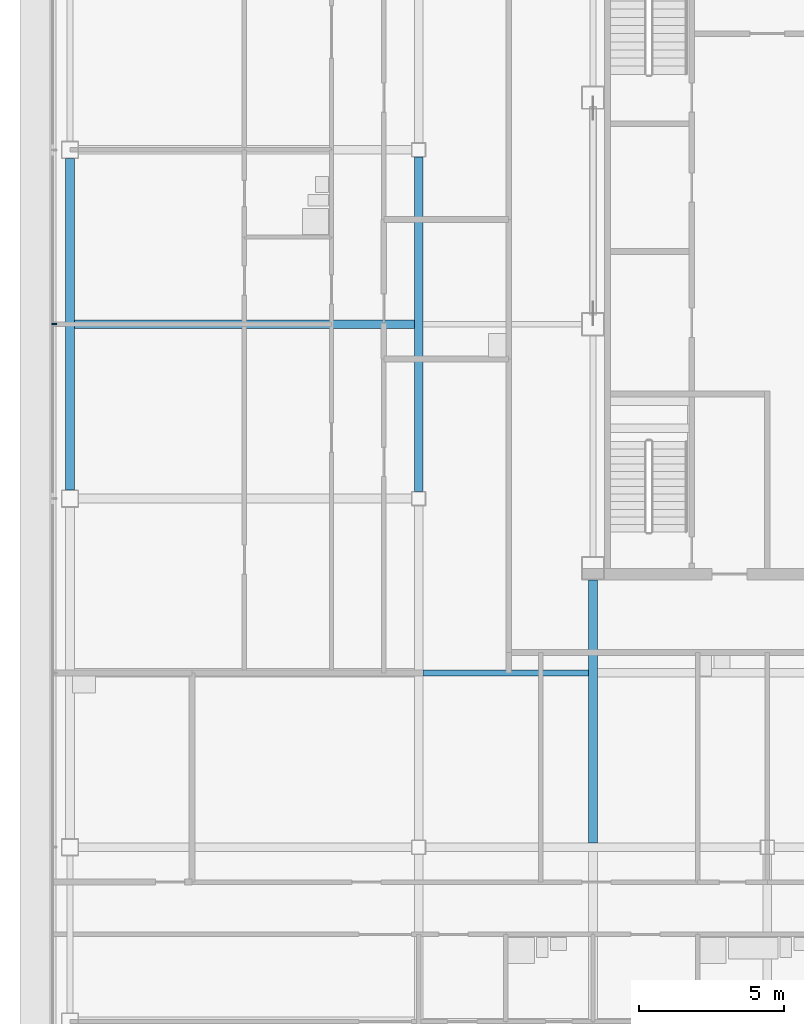
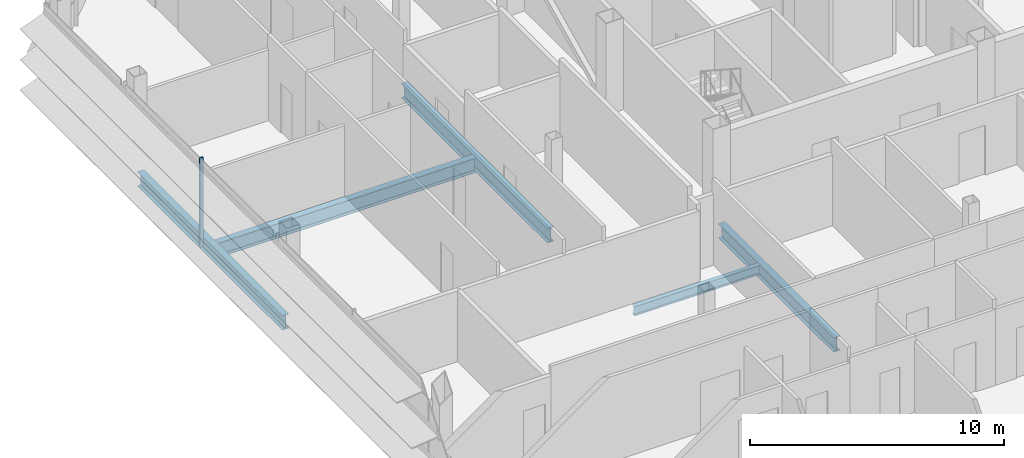
# One storey, part 7 of 29: 5 beams, 1 member, 1 element without a shape of its own.
"""IFC4 building model written with IfcOpenShell, lengths in metres."""

from ifc_helpers import new_model, si_unit, direction, frame, origin, origin_2d, place, context, subcontext, project, spatial, rectangle, i_section, extrude, material, material_profile, profile_set, type_object, element, aggregate, save


model = new_model("IFC4")

# Units and contexts
model_context = context("Model", 3, precision=1e-05, world=origin(), true_north=direction((0.0, 1.0)))
body_context = subcontext(model_context, "Body", "Model", "MODEL_VIEW")
ifc_project = project(units=[si_unit("LENGTHUNIT", "METRE"), si_unit("AREAUNIT", "SQUARE_METRE"), si_unit("VOLUMEUNIT", "CUBIC_METRE"), si_unit("PLANEANGLEUNIT", "RADIAN"), si_unit("MASSUNIT", "GRAM", prefix="KILO")], contexts=[model_context])

# Site, building, storey
site_placement = place(None, origin())
site = spatial("IfcSite", under=ifc_project, at=site_placement, CompositionType="ELEMENT")
building_placement = place(site_placement, origin())
building = spatial("IfcBuilding", under=site, at=building_placement, Name="Sorahane Residences", CompositionType="ELEMENT")
storey_placement = place(building_placement, frame((0.0, 0.0, 277.39990234375)))
storey = spatial("IfcBuildingStorey", under=building, at=storey_placement, Name="L66", CompositionType="ELEMENT", Elevation=277.39990234375)

# Curtain wall, member
ifc_material_1 = material(Name="Dark low-e glass and black anodised aluminium", Category="aluminium")
curtain_wall_type = type_object("IfcCurtainWallType", Name="Curtain wall CW-1 Typical unitised wall", PredefinedType="NOTDEFINED", material=ifc_material_1)
curtain_wall_placement = place(storey_placement, origin())
curtain_wall = element("IfcCurtainWall", 1, at=curtain_wall_placement, inside=storey, type_object=curtain_wall_type, Name="CW-1 curtain wall L66 W1", PredefinedType="NOTDEFINED")
ifc_material_2 = material(Name="Black anodised aluminium", Category="aluminium")
ifc_material_profile_1 = material_profile(ifc_material_2, rectangle(XDim=0.159912109375, YDim=0.050048828125, at=origin_2d()), Name="Curtain wall mullion CW-1 black anodised aluminium 50x160")
ifc_profile_set_1 = profile_set([ifc_material_profile_1], Name="Black anodised aluminium")
member_type = type_object("IfcMemberType", Name="Curtain wall mullion CW-1 black anodised aluminium 50x160", PredefinedType="MULLION", material=ifc_profile_set_1)
member_placement = place(storey_placement, frame((-12.5400390625, 30.0, -0.179931640625), z_axis=(0.0, 0.0, 1.0), x_axis=(-1.0, 0.0, 0.0)))
member = element("IfcMember", 2, at=member_placement, type_object=member_type, Name="CW-1 mullion L66 W1.3", PredefinedType="MULLION", context=body_context, shape_type="SweptSolid", body=[
    extrude(rectangle(XDim=0.159912109375, YDim=0.050048828125, at=origin_2d()), origin(), (0.0, 0.0, 1.0), 4.280029296875),
])
aggregate(curtain_wall, [member])

# Beams
ifc_material_3 = material(Name="Steel Q355B", Category="steel")
ifc_material_profile_2 = material_profile(ifc_material_3, i_section(OverallWidth=0.199951171875, OverallDepth=0.449951171875, WebThickness=0.009033203125, FlangeThickness=0.013916015625, FilletRadius=0.02001953125, at=origin_2d()), Name="HN 450x200x9x14")
ifc_profile_set_2 = profile_set([ifc_material_profile_2], Name="Steel Q355B")
beam_type_1 = type_object("IfcBeamType", Name="Steel floor beam HN 450x200x9x14 Q355B", PredefinedType="BEAM", material=ifc_profile_set_2)
beam_1_placement = place(storey_placement, frame((0.14990234375, 18.0, -0.40478515625), z_axis=(1.0, 0.0, 0.0), x_axis=(0.0, 1.0, 0.0)))
element("IfcBeam", 3, at=beam_1_placement, inside=storey, type_object=beam_type_1, Name="Beam L66 079", PredefinedType="BEAM", context=body_context, shape_type="SweptSolid", body=[
    extrude(i_section(OverallWidth=0.199951171875, OverallDepth=0.449951171875, WebThickness=0.009033203125, FlangeThickness=0.013916015625, FilletRadius=0.02001953125, at=origin_2d()), origin(), (0.0, 0.0, 1.0), 5.7001953125),
])
ifc_material_4 = material(Name="Steel Q355B", Category="steel")
ifc_material_profile_3 = material_profile(ifc_material_4, i_section(OverallWidth=0.300048828125, OverallDepth=0.699951171875, WebThickness=0.012939453125, FlangeThickness=0.02392578125, FilletRadius=0.028076171875, at=origin_2d()), Name="HN 700x300x13x24")
ifc_profile_set_3 = profile_set([ifc_material_profile_3], Name="Steel Q355B")
beam_type_2 = type_object("IfcBeamType", Name="Steel floor beam HN 700x300x13x24 Q355B", PredefinedType="BEAM", material=ifc_profile_set_3)
beam_2_placement = place(storey_placement, frame((-12.0, 24.300048828125, -0.52978515625), z_axis=(0.0, 1.0, 0.0), x_axis=(-1.0, 0.0, 0.0)))
element("IfcBeam", 4, at=beam_2_placement, inside=storey, type_object=beam_type_2, Name="Beam L66 022", PredefinedType="BEAM", context=body_context, shape_type="SweptSolid", body=[
    extrude(i_section(OverallWidth=0.300048828125, OverallDepth=0.699951171875, WebThickness=0.012939453125, FlangeThickness=0.02392578125, FilletRadius=0.028076171875, at=origin_2d()), origin(), (0.0, 0.0, 1.0), 11.39990234375),
])
beam_3_placement = place(storey_placement, frame((0.0, 24.25, -0.52978515625), z_axis=(0.0, 1.0, 0.0), x_axis=(-1.0, 0.0, 0.0)))
element("IfcBeam", 5, at=beam_3_placement, inside=storey, type_object=beam_type_2, Name="Beam L66 026", PredefinedType="BEAM", context=body_context, shape_type="SweptSolid", body=[
    extrude(i_section(OverallWidth=0.300048828125, OverallDepth=0.699951171875, WebThickness=0.012939453125, FlangeThickness=0.02392578125, FilletRadius=0.028076171875, at=origin_2d()), origin(), (0.0, 0.0, 1.0), 11.5),
])
beam_4_placement = place(storey_placement, frame((6.0, 12.14990234375, -0.52978515625), z_axis=(0.0, 1.0, 0.0), x_axis=(-1.0, 0.0, 0.0)))
element("IfcBeam", 6, at=beam_4_placement, inside=storey, type_object=beam_type_2, Name="Beam L66 029", PredefinedType="BEAM", context=body_context, shape_type="SweptSolid", body=[
    extrude(i_section(OverallWidth=0.300048828125, OverallDepth=0.699951171875, WebThickness=0.012939453125, FlangeThickness=0.02392578125, FilletRadius=0.028076171875, at=origin_2d()), origin(), (0.0, 0.0, 1.0), 9.050048828125),
])
beam_5_placement = place(storey_placement, frame((-11.85009765625, 30.0, -0.52978515625), z_axis=(1.0, 0.0, 0.0), x_axis=(0.0, 1.0, 0.0)))
element("IfcBeam", 7, at=beam_5_placement, inside=storey, type_object=beam_type_2, Name="Beam L66 085", PredefinedType="BEAM", context=body_context, shape_type="SweptSolid", body=[
    extrude(i_section(OverallWidth=0.300048828125, OverallDepth=0.699951171875, WebThickness=0.012939453125, FlangeThickness=0.02392578125, FilletRadius=0.028076171875, at=origin_2d()), origin(), (0.0, 0.0, 1.0), 11.7001953125),
])

save(model, "model.ifc")
